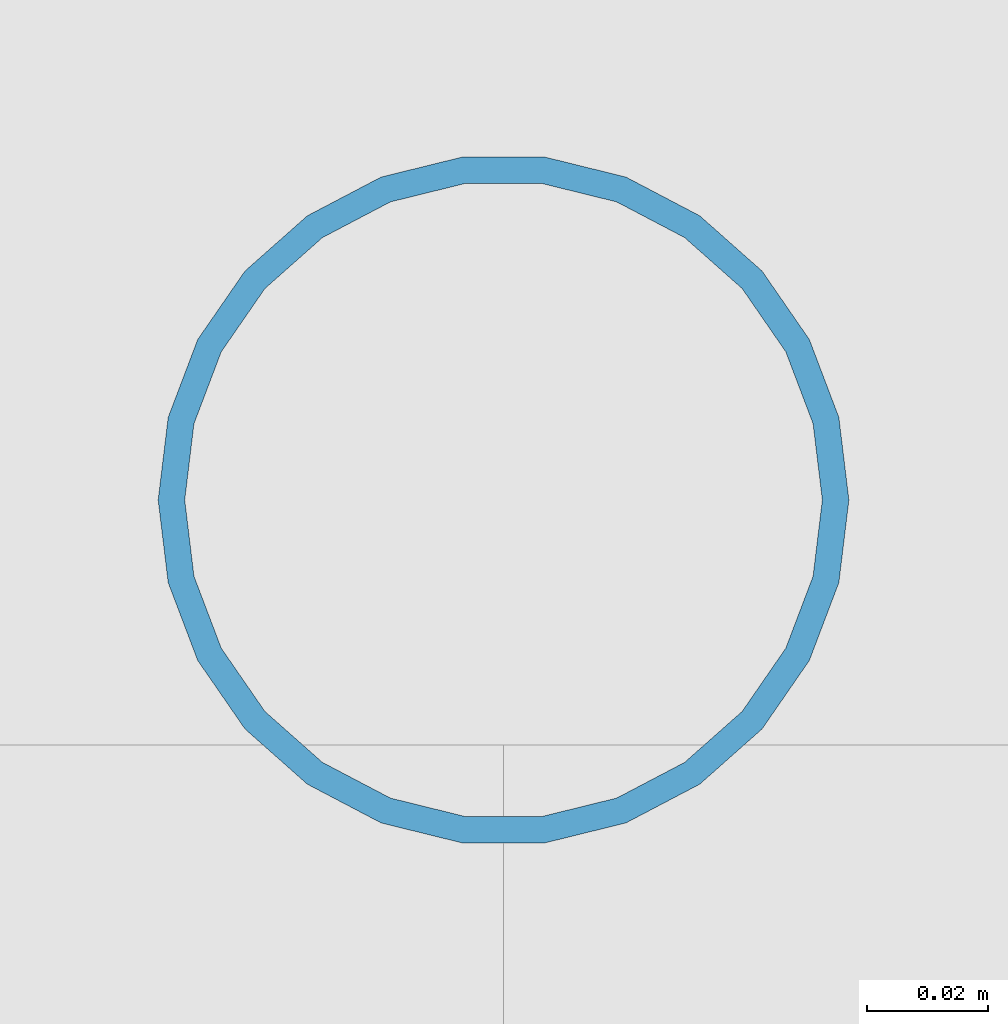
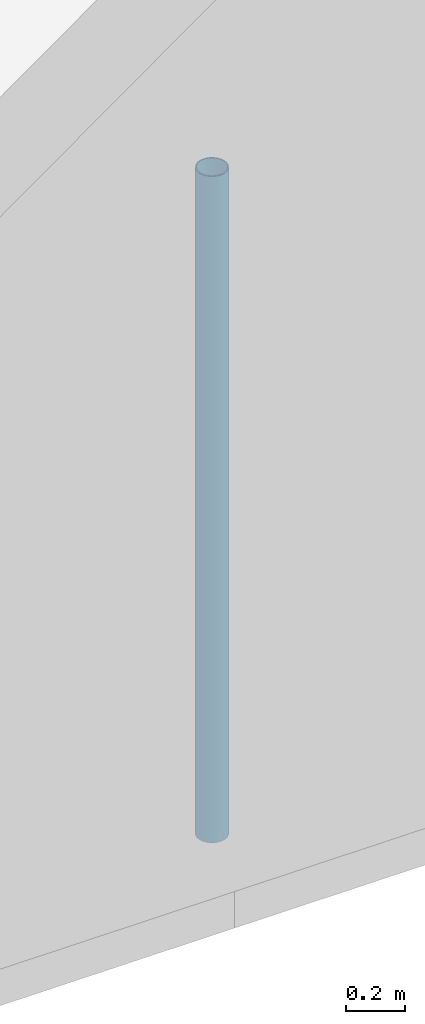
# One storey, part 43 of 111: 1 discrete accessory.
"""IFC4 building model written with IfcOpenShell, lengths in metres."""

from ifc_helpers import new_model, si_unit, direction, frame, origin, origin_2d, place, context, subcontext, project, spatial, hollow_circle, extrude, material, material_profile, profile_set, type_object, element, save


model = new_model("IFC4")

# Units and contexts
model_context = context("Model", 3, precision=1e-05, world=origin(), true_north=direction((0.0, 1.0)))
body_context = subcontext(model_context, "Body", "Model", "MODEL_VIEW")
ifc_project = project(units=[si_unit("LENGTHUNIT", "METRE"), si_unit("AREAUNIT", "SQUARE_METRE"), si_unit("VOLUMEUNIT", "CUBIC_METRE"), si_unit("PLANEANGLEUNIT", "RADIAN"), si_unit("MASSUNIT", "GRAM", prefix="KILO")], contexts=[model_context])

# Site, building, storey
site_placement = place(None, origin())
site = spatial("IfcSite", under=ifc_project, at=site_placement, CompositionType="ELEMENT")
building_placement = place(site_placement, origin())
building = spatial("IfcBuilding", under=site, at=building_placement, Name="Rain Tree Exposition and Congress Centre", CompositionType="ELEMENT")
storey_placement = place(building_placement, frame((0.0, 0.0, 19.5)))
storey = spatial("IfcBuildingStorey", under=building, at=storey_placement, Name="RF", CompositionType="ELEMENT", Elevation=19.5)

# Discrete accessory
ifc_material = material(Name="Steel S355J2H", Category="steel")
ifc_material_profile = material_profile(ifc_material, hollow_circle(Radius=0.05712890625, WallThickness=0.00439453125, at=origin_2d()), Name="CHS 114x4.5")
ifc_profile_set = profile_set([ifc_material_profile], Name="Steel S355J2H")
discrete_accessory_type = type_object("IfcDiscreteAccessoryType", Name="Roof skin post CHS 114x4.5", PredefinedType="BRACKET", material=ifc_profile_set)
discrete_accessory_placement = place(storey_placement, frame((168.0, 100.800048828125, 0.5), z_axis=(0.0, 0.0, 1.0), x_axis=(1.0, 0.0, 0.0)))
element("IfcDiscreteAccessory", 1, at=discrete_accessory_placement, inside=storey, type_object=discrete_accessory_type, Name="Roof skin post B4", PredefinedType="BRACKET", context=body_context, shape_type="SweptSolid", body=[
    extrude(hollow_circle(Radius=0.05712890625, WallThickness=0.00439453125, at=origin_2d()), origin(), (0.0, 0.0, 1.0), 2.740234375),
])

save(model, "model.ifc")
